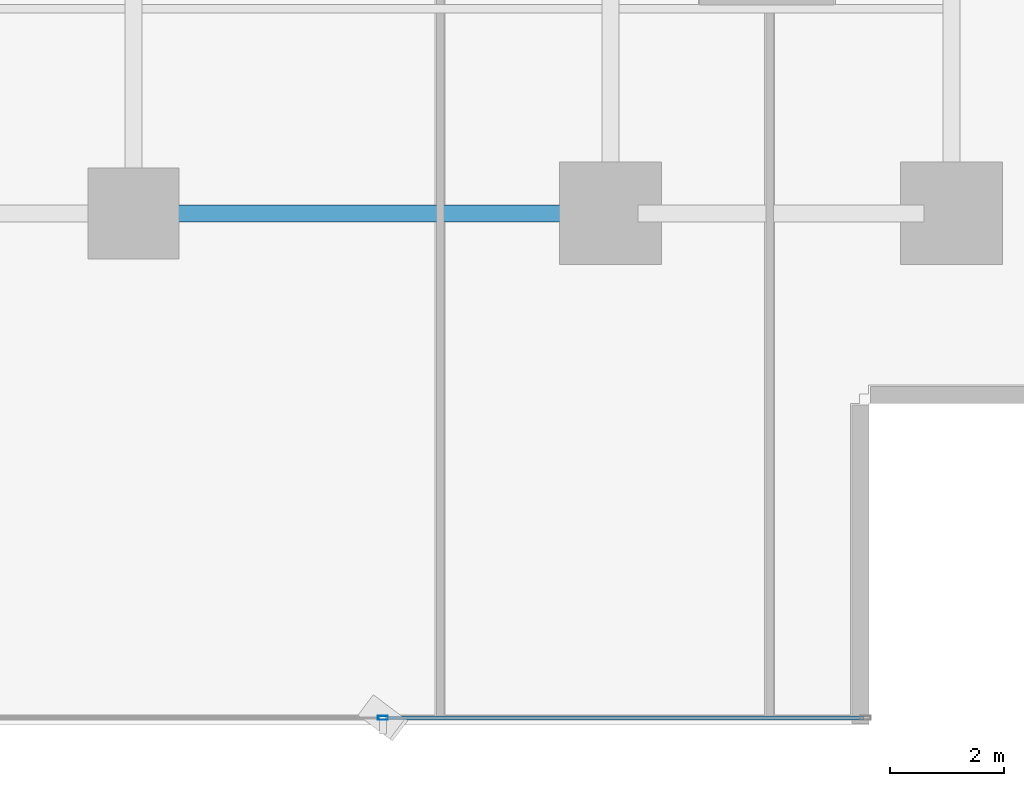
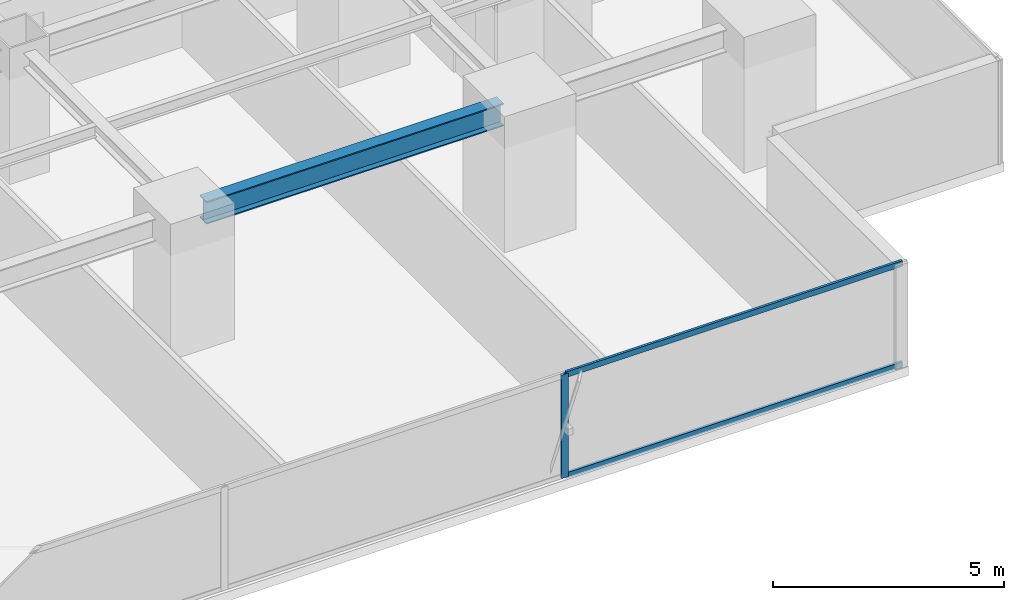
# One storey, part 11 of 34: 3 members, 1 beam, 1 element without a shape of its own.
"""IFC4 building model written with IfcOpenShell, lengths in metres."""

from ifc_helpers import new_model, si_unit, direction, frame, origin, origin_2d, place, context, subcontext, project, spatial, hollow_rectangle, i_section, extrude, source, transform, mapped, material, layer, layer_set, material_profile, profile_set, type_object, element, aggregate, save


model = new_model("IFC4")

# Units and contexts
model_context = context("Model", 3, precision=1e-05, world=origin(), true_north=direction((0.0, 1.0)))
body_context = subcontext(model_context, "Body", "Model", "MODEL_VIEW")
ifc_project = project(units=[si_unit("LENGTHUNIT", "METRE"), si_unit("AREAUNIT", "SQUARE_METRE"), si_unit("VOLUMEUNIT", "CUBIC_METRE"), si_unit("PLANEANGLEUNIT", "RADIAN"), si_unit("MASSUNIT", "GRAM", prefix="KILO")], contexts=[model_context])

# Site, building, storey
site_placement = place(None, origin())
site = spatial("IfcSite", under=ifc_project, at=site_placement, CompositionType="ELEMENT")
building_placement = place(site_placement, origin())
building = spatial("IfcBuilding", under=site, at=building_placement, Name="Sumidabori Civic Tower", CompositionType="ELEMENT")
storey_placement = place(building_placement, frame((0.0, 0.0, 34.39990234375)))
storey = spatial("IfcBuildingStorey", under=building, at=storey_placement, Name="L08", CompositionType="ELEMENT", Elevation=34.39990234375)

# Beam
ifc_material_1 = material(Name="Steel SN490", Category="steel")
ifc_material_profile_1 = material_profile(ifc_material_1, i_section(OverallWidth=0.300048828125, OverallDepth=0.60009765625, WebThickness=0.015380859375, FlangeThickness=0.030029296875, at=origin_2d()), Name="HE 600 B")
ifc_profile_set_1 = profile_set([ifc_material_profile_1], Name="Steel SN490")
beam_type = type_object("IfcBeamType", Name="BM-GIRD-600", PredefinedType="BEAM", material=ifc_profile_set_1)
shared_shape_1 = source(origin(), body_context, "Body", "SweptSolid", [
    extrude(i_section(OverallWidth=0.300048828125, OverallDepth=0.60009765625, WebThickness=0.015380859375, FlangeThickness=0.030029296875, at=origin_2d()), origin(), (0.0, 0.0, 1.0), 7.440185546875),
])
beam_placement = place(storey_placement, frame((8.8798828125, -18.0, 3.06005859375), z_axis=(1.0, 0.0, 0.0), x_axis=(0.0, 1.0, 0.0)))
element("IfcBeam", 1, at=beam_placement, inside=storey, type_object=beam_type, Name="Primary Girder L08 GX-05", PredefinedType="BEAM", context=body_context, shape_type="MappedRepresentation", body=[
    mapped(shared_shape_1, transform((0.0, 0.0, 0.0), x_axis=(1.0, 0.0, 0.0), y_axis=(0.0, 1.0, 0.0), z_axis=(0.0, 0.0, 1.0), scale=1.0)),
])

# Curtain wall, members
ifc_material_2 = material(Name="Anodised Bronze Aluminium AW-6063-T6", Category="aluminium")
ifc_layer = layer(ifc_material_2, 0.179931640625, Name="Anodised Bronze Aluminium AW-6063-T6")
ifc_layer_set = layer_set([ifc_layer], Name="Anodised Bronze Aluminium AW-6063-T6")
curtain_wall_type = type_object("IfcCurtainWallType", Name="CW-SYS-2", PredefinedType="NOTDEFINED", material=ifc_layer_set)
curtain_wall_placement = place(storey_placement, origin())
curtain_wall = element("IfcCurtainWall", 2, at=curtain_wall_placement, inside=storey, type_object=curtain_wall_type, Name="Curtain Wall CW:L08:R01", PredefinedType="NOTDEFINED")
ifc_material_profile_2 = material_profile(ifc_material_2, hollow_rectangle(XDim=0.070068359375, YDim=0.179931640625, WallThickness=0.006103515625, at=origin_2d()), Name="ALU MULLION 180x70")
ifc_profile_set_2 = profile_set([ifc_material_profile_2], Name="Anodised Bronze Aluminium AW-6063-T6")
member_type_1 = type_object("IfcMemberType", Name="CW-MUL-180", PredefinedType="MULLION", material=ifc_profile_set_2)
shared_shape_2 = source(origin(), body_context, "Body", "SweptSolid", [
    extrude(hollow_rectangle(XDim=0.070068359375, YDim=0.179931640625, WallThickness=0.006103515625, at=origin_2d()), origin(), (0.0, 0.0, 1.0), 2.739990234375),
])
member_1_placement = place(storey_placement, frame((12.7919921875, -26.8798828125, 0.0), z_axis=(0.0, 0.0, 1.0), x_axis=(0.0, 1.0, 0.0)))
member_1 = element("IfcMember", 3, at=member_1_placement, type_object=member_type_1, Name="CW-2 mullion 5", PredefinedType="MULLION", context=body_context, shape_type="MappedRepresentation", body=[
    mapped(shared_shape_2, transform((0.0, 0.0, 0.0), x_axis=(1.0, 0.0, 0.0), y_axis=(0.0, 1.0, 0.0), z_axis=(0.0, 0.0, 1.0), scale=1.0)),
])
ifc_material_profile_3 = material_profile(ifc_material_2, hollow_rectangle(XDim=0.06494140625, YDim=0.14990234375, WallThickness=0.0048828125, at=origin_2d()), Name="ALU TRANSOM 150x65")
ifc_profile_set_3 = profile_set([ifc_material_profile_3], Name="Anodised Bronze Aluminium AW-6063-T6")
member_type_2 = type_object("IfcMemberType", Name="CW-TRN-150", PredefinedType="USERDEFINED", material=ifc_profile_set_3)
shared_shape_3 = source(origin(), body_context, "Body", "SweptSolid", [
    extrude(hollow_rectangle(XDim=0.06494140625, YDim=0.14990234375, WallThickness=0.0048828125, at=origin_2d()), origin(), (0.0, 0.0, 1.0), 8.423095703125),
])
member_2_placement = place(storey_placement, frame((12.826904296875, -26.8798828125, 0.03271484375), z_axis=(1.0, 0.0, 0.0), x_axis=(0.0, 1.0, 0.0)))
member_2 = element("IfcMember", 4, at=member_2_placement, type_object=member_type_2, Name="CW-2 transom 5.1", ObjectType="TRANSOM", PredefinedType="USERDEFINED", context=body_context, shape_type="MappedRepresentation", body=[
    mapped(shared_shape_3, transform((0.0, 0.0, 0.0), x_axis=(1.0, 0.0, 0.0), y_axis=(0.0, 1.0, 0.0), z_axis=(0.0, 0.0, 1.0), scale=1.0)),
])
member_3_placement = place(storey_placement, frame((12.826904296875, -26.8798828125, 2.70751953125), z_axis=(1.0, 0.0, 0.0), x_axis=(0.0, 1.0, 0.0)))
member_3 = element("IfcMember", 5, at=member_3_placement, type_object=member_type_2, Name="CW-2 transom 5.2", ObjectType="TRANSOM", PredefinedType="USERDEFINED", context=body_context, shape_type="MappedRepresentation", body=[
    mapped(shared_shape_3, transform((0.0, 0.0, 0.0), x_axis=(1.0, 0.0, 0.0), y_axis=(0.0, 1.0, 0.0), z_axis=(0.0, 0.0, 1.0), scale=1.0)),
])
aggregate(curtain_wall, [member_1, member_2, member_3])

save(model, "model.ifc")
